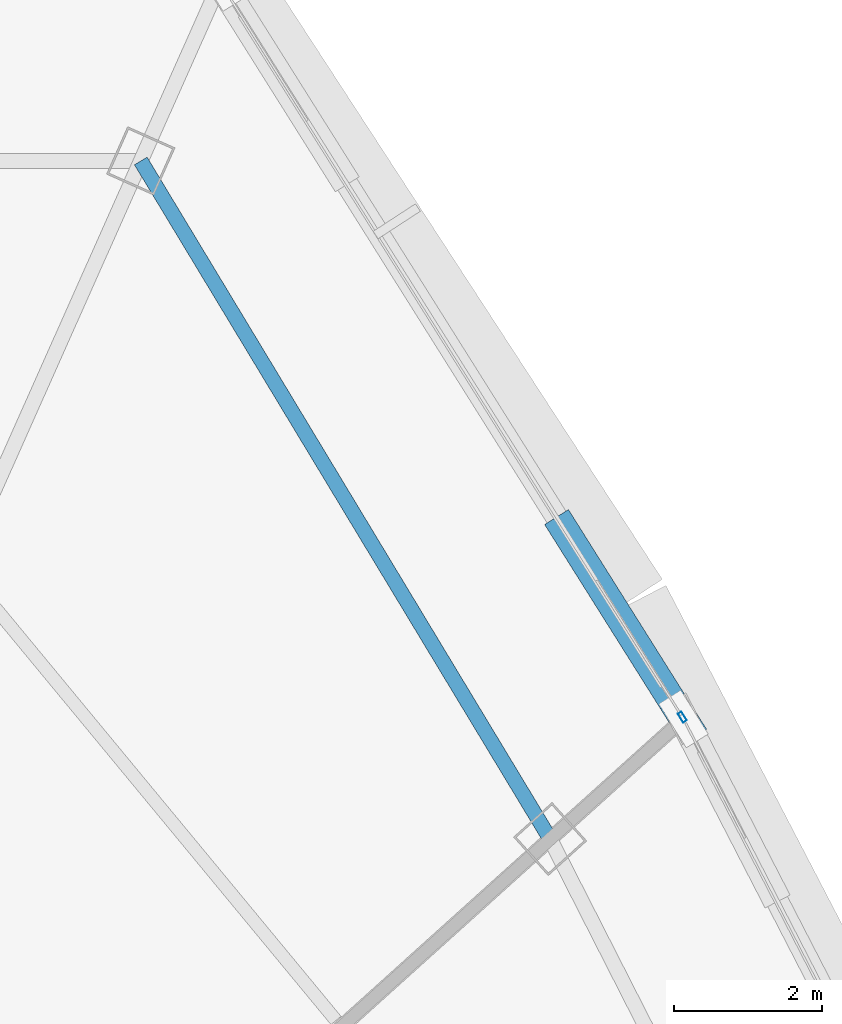
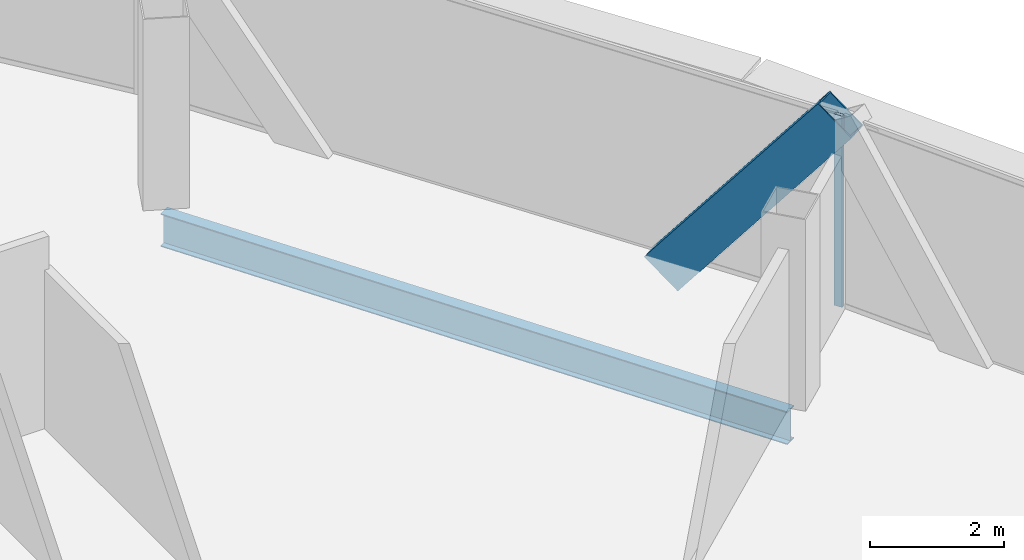
# One storey, part 15 of 30: 2 members, 1 beam, 1 element without a shape of its own.
"""IFC4 building model written with IfcOpenShell, lengths in metres."""

from ifc_helpers import new_model, si_unit, direction, frame, origin, origin_2d, place, context, subcontext, project, spatial, hollow_rectangle, i_section, extrude, source, transform, mapped, material, layer, layer_set, material_profile, profile_set, type_object, element, aggregate, save


model = new_model("IFC4")

# Units and contexts
model_context = context("Model", 3, precision=1e-05, world=origin(), true_north=direction((0.0, 1.0)))
body_context = subcontext(model_context, "Body", "Model", "MODEL_VIEW")
ifc_project = project(units=[si_unit("LENGTHUNIT", "METRE"), si_unit("AREAUNIT", "SQUARE_METRE"), si_unit("VOLUMEUNIT", "CUBIC_METRE"), si_unit("PLANEANGLEUNIT", "RADIAN"), si_unit("MASSUNIT", "GRAM", prefix="KILO"), si_unit("THERMODYNAMICTEMPERATUREUNIT", "KELVIN"), si_unit("POWERUNIT", "WATT")], contexts=[model_context])

# Site, building, storey
site_placement = place(None, origin())
site = spatial("IfcSite", under=ifc_project, at=site_placement, CompositionType="ELEMENT")
building_placement = place(site_placement, origin())
building = spatial("IfcBuilding", under=site, at=building_placement, Name="Yunzhuo Pagoda Commons", CompositionType="ELEMENT")
storey_placement = place(building_placement, frame((0.0, 0.0, 348.010009765625)))
storey = spatial("IfcBuildingStorey", under=building, at=storey_placement, Name="L87", CompositionType="ELEMENT", Elevation=348.010009765625)

# Beam
ifc_material_1 = material(Name="Structural steel Q355B", Category="steel")
ifc_material_profile_1 = material_profile(ifc_material_1, i_section(OverallWidth=0.199951171875, OverallDepth=0.60009765625, WebThickness=0.010986328125, FlangeThickness=0.01708984375, at=origin_2d()), Name="Structural steel Q355B")
ifc_profile_set_1 = profile_set([ifc_material_profile_1], Name="Structural steel Q355B")
beam_type = type_object("IfcBeamType", Name="B-RG3 Beam HN 600x200x11x17", PredefinedType="BEAM", material=ifc_profile_set_1)
shared_shape_1 = source(origin(), body_context, "Body", "SweptSolid", [
    extrude(i_section(OverallWidth=0.199951171875, OverallDepth=0.60009765625, WebThickness=0.010986328125, FlangeThickness=0.01708984375, at=origin_2d()), origin(), (0.0, 0.0, 1.0), 10.691162109375),
])
beam_placement = place(storey_placement, frame((64.024658203125, 48.128662109375, -0.56005859375), z_axis=(-0.516864678433, 0.856067114301, 0.0), x_axis=(-0.856067114301, -0.516864678433, 0.0)))
element("IfcBeam", 1, at=beam_placement, inside=storey, type_object=beam_type, Name="L87 column-ring beam 7", PredefinedType="BEAM", context=body_context, shape_type="MappedRepresentation", body=[
    mapped(shared_shape_1, transform((0.0, 0.0, 0.0), scale=1.0)),
])

# Member
ifc_material_profile_2 = material_profile(ifc_material_1, hollow_rectangle(XDim=0.3798828125, YDim=0.719970703125, WallThickness=0.02001953125, at=origin_2d()), Name="Structural steel Q355B")
ifc_profile_set_2 = profile_set([ifc_material_profile_2], Name="Structural steel Q355B")
member_type_1 = type_object("IfcMemberType", Name="M-DL3 Brace BOX 720x380x20", PredefinedType="BRACE", material=ifc_profile_set_2)
shared_shape_2 = source(origin(), body_context, "Body", "SweptSolid", [
    extrude(hollow_rectangle(XDim=0.3798828125, YDim=0.719970703125, WallThickness=0.02001953125, at=origin_2d()), origin(), (0.0, 0.0, 1.0), 4.7626953125),
])
member_1_placement = place(storey_placement, frame((64.261474609375, 52.23486328125, -0.260009765625), z_axis=(0.328170512909, -0.521884409861, 0.787363179988), x_axis=(0.846542342318, 0.532321390386, 0.0)))
element("IfcMember", 2, at=member_1_placement, inside=storey, type_object=member_type_1, Name="L87 facade diamond brace F2.3L", PredefinedType="BRACE", context=body_context, shape_type="MappedRepresentation", body=[
    mapped(shared_shape_2, transform((0.0, 0.0, 0.0), scale=1.0)),
])

# Curtain wall, member
ifc_material_2 = material(Name="Anodized aluminium 6063-T6", Category="aluminium")
ifc_layer = layer(ifc_material_2, 0.139892578125)
ifc_layer_set = layer_set([ifc_layer], Name="Anodized aluminium 6063-T6")
curtain_wall_type = type_object("IfcCurtainWallType", Name="CW-HI High-Zone Ribbon Curtain Wall", PredefinedType="NOTDEFINED", material=ifc_layer_set)
curtain_wall_placement = place(storey_placement, origin())
curtain_wall = element("IfcCurtainWall", 3, at=curtain_wall_placement, inside=storey, type_object=curtain_wall_type, Name="L87 curtain wall CW-L87-F2B4", PredefinedType="NOTDEFINED")
ifc_material_profile_3 = material_profile(ifc_material_2, hollow_rectangle(XDim=0.06005859375, YDim=0.139892578125, WallThickness=0.00341796875, at=origin_2d()), Name="Anodized aluminium 6063-T6")
ifc_profile_set_3 = profile_set([ifc_material_profile_3], Name="Anodized aluminium 6063-T6")
member_type_2 = type_object("IfcMemberType", Name="CW-HI-M Mullion RHS 140x60x3.5", PredefinedType="MULLION", material=ifc_profile_set_3)
shared_shape_3 = source(origin(), body_context, "Body", "SweptSolid", [
    extrude(hollow_rectangle(XDim=0.06005859375, YDim=0.139892578125, WallThickness=0.00341796875, at=origin_2d()), origin(), (0.0, 0.0, 1.0), 3.489990234375),
])
member_2_placement = place(storey_placement, frame((65.80859375, 49.774658203125, 0.0), z_axis=(0.0, 0.0, 1.0), x_axis=(-0.846524621891, -0.532349569861, 0.0)))
member_2 = element("IfcMember", 4, at=member_2_placement, type_object=member_type_2, Name="CW mullion 1", PredefinedType="MULLION", context=body_context, shape_type="MappedRepresentation", body=[
    mapped(shared_shape_3, transform((0.0, 0.0, 0.0), scale=1.0)),
])
aggregate(curtain_wall, [member_2])

save(model, "model.ifc")
